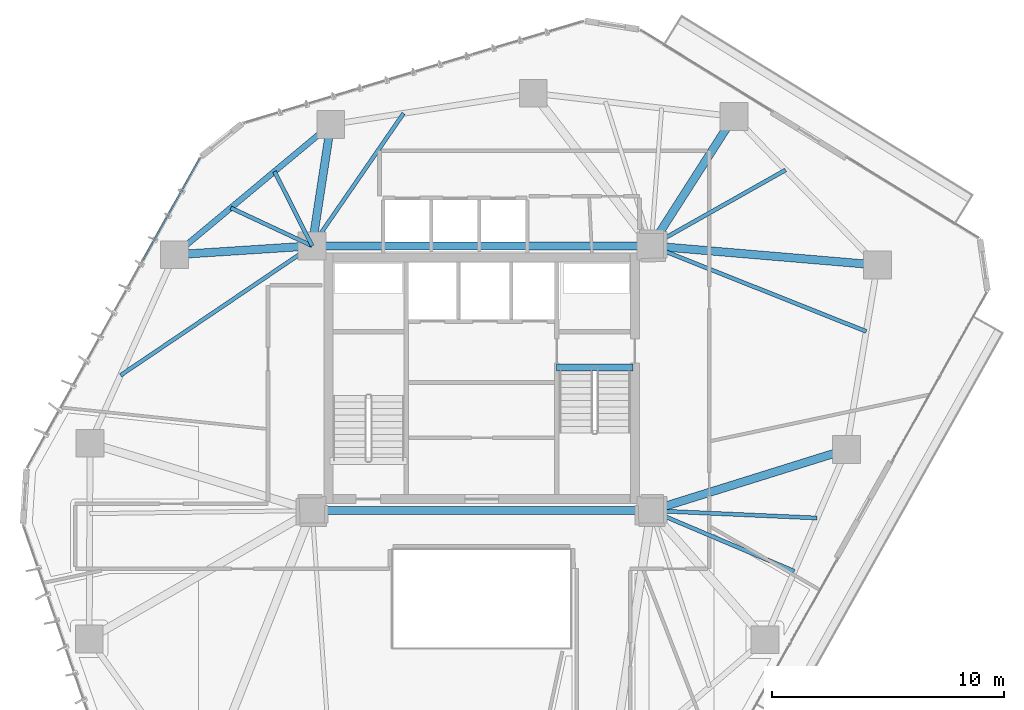
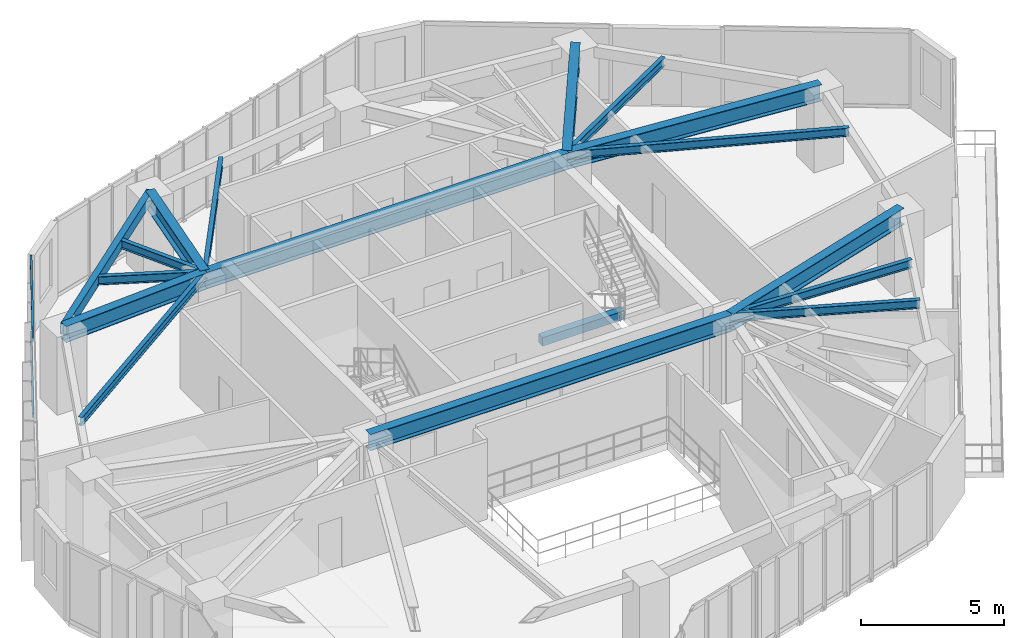
# One storey, part 9 of 21: 17 beams, 2 members, 1 element without a shape of its own.
"""IFC4 building model written with IfcOpenShell, lengths in metres."""

from ifc_helpers import new_model, si_unit, direction, frame, origin, origin_2d, place, context, subcontext, project, spatial, rectangle, hollow_rectangle, i_section, extrude, source, transform, mapped, material, layer, layer_set, material_profile, profile_set, type_object, type_shapes, element, aggregate, save


model = new_model("IFC4")

# Units and contexts
model_context = context("Model", 3, precision=1e-05, world=origin(), true_north=direction((0.0, 1.0)))
body_context = subcontext(model_context, "Body", "Model", "MODEL_VIEW")
ifc_project = project(units=[si_unit("LENGTHUNIT", "METRE"), si_unit("AREAUNIT", "SQUARE_METRE"), si_unit("VOLUMEUNIT", "CUBIC_METRE"), si_unit("PLANEANGLEUNIT", "RADIAN"), si_unit("MASSUNIT", "GRAM", prefix="KILO")], contexts=[model_context])

# Site, building, storey
site_placement = place(None, origin())
site = spatial("IfcSite", under=ifc_project, at=site_placement, CompositionType="ELEMENT")
building_placement = place(site_placement, origin())
building = spatial("IfcBuilding", under=site, at=building_placement, Name="Talar Marvaseh", CompositionType="ELEMENT")
storey_placement = place(building_placement, frame((0.0, 0.0, 139.800048828125)))
storey = spatial("IfcBuildingStorey", under=building, at=storey_placement, Name="L36", CompositionType="ELEMENT", Elevation=139.800048828125)

# Beams
ifc_material_1 = material(Name="Concrete C40/50", Category="concrete")
ifc_material_profile_1 = material_profile(ifc_material_1, rectangle(XDim=0.300048828125, YDim=0.360107421875, at=origin_2d()), Name="RC300x360")
ifc_profile_set_1 = profile_set([ifc_material_profile_1], Name="Concrete C40/50")
beam_type_1 = type_object("IfcBeamType", Name="Concrete Stair Landing Trimmer Beam RC300x360", PredefinedType="SPANDREL", material=ifc_profile_set_1)
beam_1_placement = place(storey_placement, frame((29.219970703125, 31.669921875, -0.179931640625), z_axis=(1.0, 0.0, 0.0), x_axis=(0.0, 1.0, 0.0)))
element("IfcBeam", 1, at=beam_1_placement, inside=storey, type_object=beam_type_1, Name="L36 ST-2 Stair Nosing Trimmer Beam", PredefinedType="SPANDREL", context=body_context, shape_type="SweptSolid", body=[
    extrude(rectangle(XDim=0.300048828125, YDim=0.360107421875, at=origin_2d()), origin(), (0.0, 0.0, 1.0), 3.300048828125),
])
ifc_material_2 = material(Name="Steel S355", Category="steel")
ifc_material_profile_2 = material_profile(ifc_material_2, hollow_rectangle(XDim=0.25, YDim=0.449951171875, WallThickness=0.01611328125, at=origin_2d()), Name="RHS450x250x16")
ifc_profile_set_2 = profile_set([ifc_material_profile_2], Name="Steel S355")
beam_type_2 = type_object("IfcBeamType", Name="Zone 2 Perimeter Spandrel Beam RHS450x250x16", PredefinedType="SPANDREL", material=ifc_profile_set_2)
beam_2_placement = place(storey_placement, frame((12.780029296875, 36.51708984375, 3.0849609375), z_axis=(0.76793081465, 0.640532796905, 0.0), x_axis=(-0.640532796905, 0.76793081465, 0.0)))
element("IfcBeam", 2, at=beam_2_placement, inside=storey, type_object=beam_type_2, Name="L36 Zone 2 Perimeter Spandrel Beam RHS450x250x16", PredefinedType="SPANDREL", context=body_context, shape_type="SweptSolid", body=[
    extrude(hollow_rectangle(XDim=0.25, YDim=0.449951171875, WallThickness=0.01611328125, at=origin_2d()), origin(), (0.0, 0.0, 1.0), 8.751953125),
])
ifc_material_profile_3 = material_profile(ifc_material_2, i_section(OverallWidth=0.35498046875, OverallDepth=0.695068359375, WebThickness=0.015380859375, FlangeThickness=0.02490234375, at=origin_2d()), Name="W690x217")
ifc_profile_set_3 = profile_set([ifc_material_profile_3], Name="Steel S355")
beam_type_3 = type_object("IfcBeamType", Name="Zone 2 Radial Floor Girder W690x217", PredefinedType="BEAM", material=ifc_profile_set_3)
for number, where, z_axis, x_axis, name in (
    (3, (18.699951171875, 25.5, 2.96240234375), (1.0, 0.0, 0.0), (0.0, 1.0, 0.0), "L36 Zone 2 Radial Floor Girder W690x217"),
    (4, (18.699951171875, 36.89990234375, 2.96240234375), (1.0, 0.0, 0.0), (0.0, 1.0, 0.0), "L36 Zone 2 Radial Floor Girder W690x217"),
):
    element("IfcBeam", number, at=place(storey_placement, frame(where, z_axis=z_axis, x_axis=x_axis)), inside=storey, type_object=beam_type_3, Name=name, PredefinedType="BEAM", context=body_context, shape_type="SweptSolid", body=[
        extrude(i_section(OverallWidth=0.35498046875, OverallDepth=0.695068359375, WebThickness=0.015380859375, FlangeThickness=0.02490234375, at=origin_2d()), origin(), (0.0, 0.0, 1.0), 14.60009765625),
    ])
beam_3_placement = place(storey_placement, frame((36.865966796875, 42.470947265625, 2.96240234375), z_axis=(-0.539101874952, -0.842240564461, 0.0), x_axis=(0.842240564461, -0.539101874952, 0.0)))
element("IfcBeam", 5, at=beam_3_placement, inside=storey, type_object=beam_type_3, Name="L36 Zone 2 Radial Floor Girder W690x217", PredefinedType="BEAM", context=body_context, shape_type="SweptSolid", body=[
    extrude(i_section(OverallWidth=0.35498046875, OverallDepth=0.695068359375, WebThickness=0.015380859375, FlangeThickness=0.02490234375, at=origin_2d()), origin(), (0.0, 0.0, 1.0), 6.614501953125),
])
beam_4_placement = place(storey_placement, frame((43.0439453125, 36.075927734375, 2.96240234375), z_axis=(-0.996443598923, 0.084262412527, 0.0), x_axis=(-0.084262412527, -0.996443598923, 0.0)))
element("IfcBeam", 6, at=beam_4_placement, inside=storey, type_object=beam_type_3, Name="L36 Zone 2 Radial Floor Girder W690x217", PredefinedType="BEAM", context=body_context, shape_type="SweptSolid", body=[
    extrude(i_section(OverallWidth=0.35498046875, OverallDepth=0.695068359375, WebThickness=0.015380859375, FlangeThickness=0.02490234375, at=origin_2d()), origin(), (0.0, 0.0, 1.0), 9.778564453125),
])
beam_5_placement = place(storey_placement, frame((41.708984375, 28.1279296875, 2.96240234375), z_axis=(-0.954475540106, -0.298289194138, 0.0), x_axis=(0.298289194138, -0.954475540106, 0.0)))
element("IfcBeam", 7, at=beam_5_placement, inside=storey, type_object=beam_type_3, Name="L36 Zone 2 Radial Floor Girder W690x217", PredefinedType="BEAM", context=body_context, shape_type="SweptSolid", body=[
    extrude(i_section(OverallWidth=0.35498046875, OverallDepth=0.695068359375, WebThickness=0.015380859375, FlangeThickness=0.02490234375, at=origin_2d()), origin(), (0.0, 0.0, 1.0), 8.81005859375),
])
beam_6_placement = place(storey_placement, frame((12.780029296875, 36.51708984375, 2.96240234375), z_axis=(0.997915745008, 0.064530348407, 0.0), x_axis=(-0.064530348407, 0.997915745008, 0.0)))
element("IfcBeam", 8, at=beam_6_placement, inside=storey, type_object=beam_type_3, Name="L36 Zone 2 Radial Floor Girder W690x217", PredefinedType="BEAM", context=body_context, shape_type="SweptSolid", body=[
    extrude(i_section(OverallWidth=0.35498046875, OverallDepth=0.695068359375, WebThickness=0.015380859375, FlangeThickness=0.02490234375, at=origin_2d()), origin(), (0.0, 0.0, 1.0), 5.932373046875),
])
beam_7_placement = place(storey_placement, frame((19.5009765625, 42.123046875, 2.96240234375), z_axis=(-0.151588471466, -0.98844369355, 0.0), x_axis=(0.98844369355, -0.151588471466, 0.0)))
element("IfcBeam", 9, at=beam_7_placement, inside=storey, type_object=beam_type_3, Name="L36 Zone 2 Radial Floor Girder W690x217", PredefinedType="BEAM", context=body_context, shape_type="SweptSolid", body=[
    extrude(i_section(OverallWidth=0.35498046875, OverallDepth=0.695068359375, WebThickness=0.015380859375, FlangeThickness=0.02490234375, at=origin_2d()), origin(), (0.0, 0.0, 1.0), 5.2841796875),
])
ifc_material_profile_4 = material_profile(ifc_material_2, i_section(OverallWidth=0.172119140625, OverallDepth=0.35791015625, WebThickness=0.0078125, FlangeThickness=0.01318359375, at=origin_2d()), Name="W360x57")
ifc_profile_set_4 = profile_set([ifc_material_profile_4], Name="Steel S355")
beam_type_4 = type_object("IfcBeamType", Name="Zone 2 Secondary Floor Joist W360x57", PredefinedType="JOIST", material=ifc_profile_set_4)
beam_8_placement = place(storey_placement, frame((39.090087890625, 40.168701171875, 3.130859375), z_axis=(-0.870809604029, -0.491620416105, 0.0), x_axis=(0.491620416105, -0.870809604029, 0.0)))
element("IfcBeam", 10, at=beam_8_placement, inside=storey, type_object=beam_type_4, Name="L36 Zone 2 Secondary Floor Joist W360x57", PredefinedType="JOIST", context=body_context, shape_type="SweptSolid", body=[
    extrude(i_section(OverallWidth=0.172119140625, OverallDepth=0.35791015625, WebThickness=0.0078125, FlangeThickness=0.01318359375, at=origin_2d()), origin(), (0.0, 0.0, 1.0), 6.64892578125),
])
beam_9_placement = place(storey_placement, frame((42.5634765625, 33.214599609375, 3.130859375), z_axis=(-0.929169193082, 0.369654718119, 0.0), x_axis=(-0.369654718119, -0.929169193082, 0.0)))
element("IfcBeam", 11, at=beam_9_placement, inside=storey, type_object=beam_type_4, Name="L36 Zone 2 Secondary Floor Joist W360x57", PredefinedType="JOIST", context=body_context, shape_type="SweptSolid", body=[
    extrude(i_section(OverallWidth=0.172119140625, OverallDepth=0.35791015625, WebThickness=0.0078125, FlangeThickness=0.01318359375, at=origin_2d()), origin(), (0.0, 0.0, 1.0), 9.969482421875),
])
beam_10_placement = place(storey_placement, frame((40.447998046875, 25.1806640625, 3.130859375), z_axis=(-0.999003555358, 0.044630666385, 0.0), x_axis=(-0.044630666385, -0.999003555358, 0.0)))
element("IfcBeam", 12, at=beam_10_placement, inside=storey, type_object=beam_type_4, Name="L36 Zone 2 Secondary Floor Joist W360x57", PredefinedType="JOIST", context=body_context, shape_type="SweptSolid", body=[
    extrude(i_section(OverallWidth=0.172119140625, OverallDepth=0.35791015625, WebThickness=0.0078125, FlangeThickness=0.01318359375, at=origin_2d()), origin(), (0.0, 0.0, 1.0), 7.155029296875),
])
beam_11_placement = place(storey_placement, frame((39.467041015625, 22.88818359375, 3.130859375), z_axis=(-0.920822287071, 0.389982455546, 0.0), x_axis=(-0.389982455546, -0.920822287071, 0.0)))
element("IfcBeam", 13, at=beam_11_placement, inside=storey, type_object=beam_type_4, Name="L36 Zone 2 Secondary Floor Joist W360x57", PredefinedType="JOIST", context=body_context, shape_type="SweptSolid", body=[
    extrude(i_section(OverallWidth=0.172119140625, OverallDepth=0.35791015625, WebThickness=0.0078125, FlangeThickness=0.01318359375, at=origin_2d()), origin(), (0.0, 0.0, 1.0), 6.697265625),
])
beam_12_placement = place(storey_placement, frame((10.44921875, 31.323486328125, 3.130859375), z_axis=(0.828514577653, 0.55996749425, 0.0), x_axis=(-0.55996749425, 0.828514577653, 0.0)))
element("IfcBeam", 14, at=beam_12_placement, inside=storey, type_object=beam_type_4, Name="L36 Zone 2 Secondary Floor Joist W360x57", PredefinedType="JOIST", context=body_context, shape_type="SweptSolid", body=[
    extrude(i_section(OverallWidth=0.172119140625, OverallDepth=0.35791015625, WebThickness=0.0078125, FlangeThickness=0.01318359375, at=origin_2d()), origin(), (0.0, 0.0, 1.0), 9.95849609375),
])
beam_13_placement = place(storey_placement, frame((15.19970703125, 38.53515625, 3.130859375), z_axis=(0.906003856895, -0.423269431086, 0.0), x_axis=(0.423269431086, 0.906003856895, 0.0)))
element("IfcBeam", 15, at=beam_13_placement, inside=storey, type_object=beam_type_4, Name="L36 Zone 2 Secondary Floor Joist W360x57", PredefinedType="JOIST", context=body_context, shape_type="SweptSolid", body=[
    extrude(i_section(OverallWidth=0.172119140625, OverallDepth=0.35791015625, WebThickness=0.0078125, FlangeThickness=0.01318359375, at=origin_2d()), origin(), (0.0, 0.0, 1.0), 3.86328125),
])
beam_14_placement = place(storey_placement, frame((17.081298828125, 40.104736328125, 3.130859375), z_axis=(0.450827436945, -0.892611125909, 0.0), x_axis=(0.892611125909, 0.450827436945, 0.0)))
element("IfcBeam", 16, at=beam_14_placement, inside=storey, type_object=beam_type_4, Name="L36 Zone 2 Secondary Floor Joist W360x57", PredefinedType="JOIST", context=body_context, shape_type="SweptSolid", body=[
    extrude(i_section(OverallWidth=0.172119140625, OverallDepth=0.35791015625, WebThickness=0.0078125, FlangeThickness=0.01318359375, at=origin_2d()), origin(), (0.0, 0.0, 1.0), 3.59033203125),
])
beam_15_placement = place(storey_placement, frame((22.640625, 42.608642578125, 3.130859375), z_axis=(-0.568085734836, -0.822969378456, 0.0), x_axis=(0.822969378456, -0.568085734836, 0.0)))
element("IfcBeam", 17, at=beam_15_placement, inside=storey, type_object=beam_type_4, Name="L36 Zone 2 Secondary Floor Joist W360x57", PredefinedType="JOIST", context=body_context, shape_type="SweptSolid", body=[
    extrude(i_section(OverallWidth=0.172119140625, OverallDepth=0.35791015625, WebThickness=0.0078125, FlangeThickness=0.01318359375, at=origin_2d()), origin(), (0.0, 0.0, 1.0), 6.936767578125),
])

# Curtain wall, members
ifc_material_3 = material(Name="Architectural Aluminium", Category="aluminium")
ifc_layer = layer(ifc_material_3, 0.199951171875)
ifc_layer_set = layer_set([ifc_layer], Name="Architectural Aluminium")
curtain_wall_type = type_object("IfcCurtainWallType", Name="Unitised Acoustic Library Curtain Wall Z2", PredefinedType="NOTDEFINED", material=ifc_layer_set)
curtain_wall_placement = place(storey_placement, origin())
curtain_wall = element("IfcCurtainWall", 18, at=curtain_wall_placement, inside=storey, type_object=curtain_wall_type, Name="L36 Unitised Acoustic Library Curtain Wall Z2", PredefinedType="NOTDEFINED")
ifc_material_profile_5 = material_profile(ifc_material_3, hollow_rectangle(XDim=0.074951171875, YDim=0.179931640625, WallThickness=0.0048828125, at=origin_2d()), Name="RHS180x75x5")
ifc_profile_set_5 = profile_set([ifc_material_profile_5], Name="Architectural Aluminium")
member_type = type_object("IfcMemberType", Name="Unitised Curtain Wall Transom RHS180x75x5", PredefinedType="USERDEFINED", material=ifc_profile_set_5)
shared_shape = source(origin(), body_context, "Body", "SweptSolid", [
    extrude(hollow_rectangle(XDim=0.074951171875, YDim=0.179931640625, WallThickness=0.0048828125, at=origin_2d()), origin(), (0.0, 0.0, 1.0), 5.017578125),
])
type_shapes(member_type, [shared_shape])
member_1_placement = place(storey_placement, frame((11.42431640625, 36.29150390625, 0.037353515625), z_axis=(0.487599960148, 0.873067167441, 0.0), x_axis=(-0.873067167441, 0.487599960148, 0.0)))
member_1 = element("IfcMember", 19, at=member_1_placement, type_object=member_type, Name="CW-Z2 transom 3.1", ObjectType="TRANSOM", PredefinedType="USERDEFINED", context=body_context, shape_type="MappedRepresentation", body=[
    mapped(shared_shape, transform((0.0, 0.0, 0.0), x_axis=(1.0, 0.0, 0.0), y_axis=(0.0, 1.0, 0.0), z_axis=(0.0, 0.0, 1.0), scale=1.0)),
])
member_2_placement = place(storey_placement, frame((11.42431640625, 36.29150390625, 3.2724609375), z_axis=(0.487599960148, 0.873067167441, 0.0), x_axis=(-0.873067167441, 0.487599960148, 0.0)))
member_2 = element("IfcMember", 20, at=member_2_placement, type_object=member_type, Name="CW-Z2 transom 3.2", ObjectType="TRANSOM", PredefinedType="USERDEFINED", context=body_context, shape_type="MappedRepresentation", body=[
    mapped(shared_shape, transform((0.0, 0.0, 0.0), x_axis=(1.0, 0.0, 0.0), y_axis=(0.0, 1.0, 0.0), z_axis=(0.0, 0.0, 1.0), scale=1.0)),
])
aggregate(curtain_wall, [member_1, member_2])

save(model, "model.ifc")
